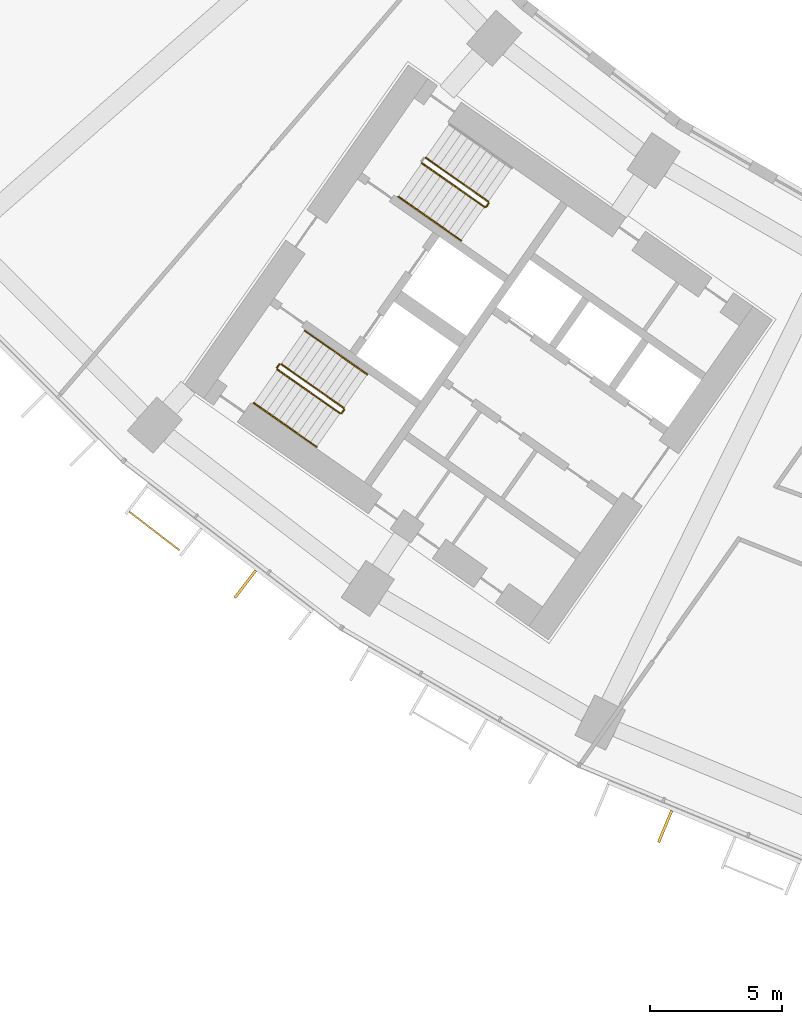
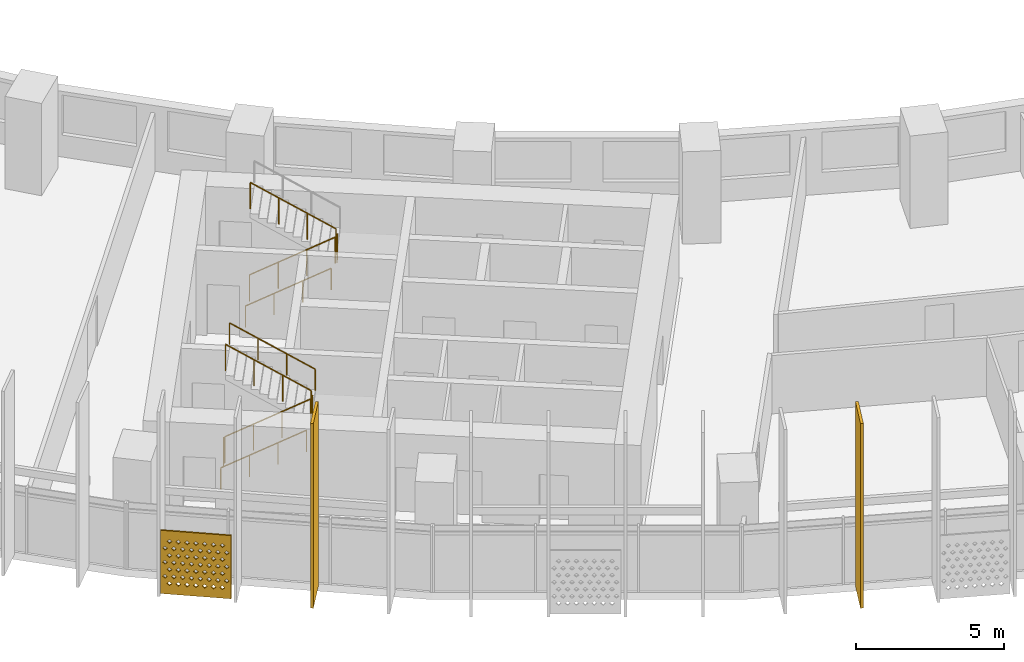
# One storey, part 25 of 31: 8 railings, 3 shading devices.
"""IFC4 building model written with IfcOpenShell, lengths in metres."""

from ifc_helpers import new_model, si_unit, direction, frame, origin, origin_2d, place, context, subcontext, project, spatial, polyline, rectangle, circle, outline, extrude, material, material_profile, profile_set, type_object, element, save


model = new_model("IFC4")

# Units and contexts
model_context = context("Model", 3, precision=1e-05, world=origin(), true_north=direction((0.0, 1.0)))
body_context = subcontext(model_context, "Body", "Model", "MODEL_VIEW")
ifc_project = project(units=[si_unit("LENGTHUNIT", "METRE"), si_unit("AREAUNIT", "SQUARE_METRE"), si_unit("VOLUMEUNIT", "CUBIC_METRE"), si_unit("PLANEANGLEUNIT", "RADIAN"), si_unit("MASSUNIT", "GRAM", prefix="KILO")], contexts=[model_context])

# Site, building, storey
site_placement = place(None, origin())
site = spatial("IfcSite", under=ifc_project, at=site_placement, CompositionType="ELEMENT")
building_placement = place(site_placement, origin())
building = spatial("IfcBuilding", under=site, at=building_placement, Name="Qamariyya Broadcast Tower", CompositionType="ELEMENT")
storey_placement = place(building_placement, frame((0.0, 0.0, 48.10009765625)))
storey = spatial("IfcBuildingStorey", under=building, at=storey_placement, Name="L08", CompositionType="ELEMENT", Elevation=48.10009765625)

# Shading device
ifc_material_1 = material(Name="Perforated glazed terracotta", Category="masonry")
ifc_material_profile_1 = material_profile(ifc_material_1, outline(polyline([(-1.199951171875, -1.300048828125), (1.199951171875, -1.300048828125), (1.199951171875, 1.300048828125), (-1.199951171875, 1.300048828125), (-1.199951171875, -1.300048828125)]), holes=[polyline([(-0.81494140625, -0.86669921875), (-0.89990234375, -0.78173828125), (-0.985107421875, -0.86669921875), (-0.89990234375, -0.95166015625), (-0.81494140625, -0.86669921875)]), polyline([(-0.514892578125, -0.86669921875), (-0.60009765625, -0.78173828125), (-0.68505859375, -0.86669921875), (-0.60009765625, -0.95166015625), (-0.514892578125, -0.86669921875)]), polyline([(-0.215087890625, -0.86669921875), (-0.300048828125, -0.78173828125), (-0.385009765625, -0.86669921875), (-0.300048828125, -0.95166015625), (-0.215087890625, -0.86669921875)]), polyline([(0.0849609375, -0.86669921875), (0.0, -0.78173828125), (-0.0849609375, -0.86669921875), (0.0, -0.95166015625), (0.0849609375, -0.86669921875)]), polyline([(0.385009765625, -0.86669921875), (0.300048828125, -0.78173828125), (0.215087890625, -0.86669921875), (0.300048828125, -0.95166015625), (0.385009765625, -0.86669921875)]), polyline([(0.68505859375, -0.86669921875), (0.60009765625, -0.78173828125), (0.514892578125, -0.86669921875), (0.60009765625, -0.95166015625), (0.68505859375, -0.86669921875)]), polyline([(0.985107421875, -0.86669921875), (0.89990234375, -0.78173828125), (0.81494140625, -0.86669921875), (0.89990234375, -0.95166015625), (0.985107421875, -0.86669921875)]), polyline([(-0.965087890625, -0.577880859375), (-1.050048828125, -0.49267578125), (-1.135009765625, -0.577880859375), (-1.050048828125, -0.662841796875), (-0.965087890625, -0.577880859375)]), polyline([(-0.6650390625, -0.577880859375), (-0.75, -0.49267578125), (-0.8349609375, -0.577880859375), (-0.75, -0.662841796875), (-0.6650390625, -0.577880859375)]), polyline([(-0.364990234375, -0.577880859375), (-0.449951171875, -0.49267578125), (-0.534912109375, -0.577880859375), (-0.449951171875, -0.662841796875), (-0.364990234375, -0.577880859375)]), polyline([(-0.06494140625, -0.577880859375), (-0.14990234375, -0.49267578125), (-0.235107421875, -0.577880859375), (-0.14990234375, -0.662841796875), (-0.06494140625, -0.577880859375)]), polyline([(0.235107421875, -0.577880859375), (0.14990234375, -0.49267578125), (0.06494140625, -0.577880859375), (0.14990234375, -0.662841796875), (0.235107421875, -0.577880859375)]), polyline([(0.534912109375, -0.577880859375), (0.449951171875, -0.49267578125), (0.364990234375, -0.577880859375), (0.449951171875, -0.662841796875), (0.534912109375, -0.577880859375)]), polyline([(0.8349609375, -0.577880859375), (0.75, -0.49267578125), (0.6650390625, -0.577880859375), (0.75, -0.662841796875), (0.8349609375, -0.577880859375)]), polyline([(1.135009765625, -0.577880859375), (1.050048828125, -0.49267578125), (0.965087890625, -0.577880859375), (1.050048828125, -0.662841796875), (1.135009765625, -0.577880859375)]), polyline([(-0.81494140625, -0.288818359375), (-0.89990234375, -0.203857421875), (-0.985107421875, -0.288818359375), (-0.89990234375, -0.373779296875), (-0.81494140625, -0.288818359375)]), polyline([(-0.514892578125, -0.288818359375), (-0.60009765625, -0.203857421875), (-0.68505859375, -0.288818359375), (-0.60009765625, -0.373779296875), (-0.514892578125, -0.288818359375)]), polyline([(-0.215087890625, -0.288818359375), (-0.300048828125, -0.203857421875), (-0.385009765625, -0.288818359375), (-0.300048828125, -0.373779296875), (-0.215087890625, -0.288818359375)]), polyline([(0.0849609375, -0.288818359375), (0.0, -0.203857421875), (-0.0849609375, -0.288818359375), (0.0, -0.373779296875), (0.0849609375, -0.288818359375)]), polyline([(0.385009765625, -0.288818359375), (0.300048828125, -0.203857421875), (0.215087890625, -0.288818359375), (0.300048828125, -0.373779296875), (0.385009765625, -0.288818359375)]), polyline([(0.68505859375, -0.288818359375), (0.60009765625, -0.203857421875), (0.514892578125, -0.288818359375), (0.60009765625, -0.373779296875), (0.68505859375, -0.288818359375)]), polyline([(0.985107421875, -0.288818359375), (0.89990234375, -0.203857421875), (0.81494140625, -0.288818359375), (0.89990234375, -0.373779296875), (0.985107421875, -0.288818359375)]), polyline([(-0.965087890625, 0.0), (-1.050048828125, 0.0849609375), (-1.135009765625, 0.0), (-1.050048828125, -0.0849609375), (-0.965087890625, 0.0)]), polyline([(-0.6650390625, 0.0), (-0.75, 0.0849609375), (-0.8349609375, 0.0), (-0.75, -0.0849609375), (-0.6650390625, 0.0)]), polyline([(-0.364990234375, 0.0), (-0.449951171875, 0.0849609375), (-0.534912109375, 0.0), (-0.449951171875, -0.0849609375), (-0.364990234375, 0.0)]), polyline([(-0.06494140625, 0.0), (-0.14990234375, 0.0849609375), (-0.235107421875, 0.0), (-0.14990234375, -0.0849609375), (-0.06494140625, 0.0)]), polyline([(0.235107421875, 0.0), (0.14990234375, 0.0849609375), (0.06494140625, 0.0), (0.14990234375, -0.0849609375), (0.235107421875, 0.0)]), polyline([(0.534912109375, 0.0), (0.449951171875, 0.0849609375), (0.364990234375, 0.0), (0.449951171875, -0.0849609375), (0.534912109375, 0.0)]), polyline([(0.8349609375, 0.0), (0.75, 0.0849609375), (0.6650390625, 0.0), (0.75, -0.0849609375), (0.8349609375, 0.0)]), polyline([(1.135009765625, 0.0), (1.050048828125, 0.0849609375), (0.965087890625, 0.0), (1.050048828125, -0.0849609375), (1.135009765625, 0.0)]), polyline([(-0.81494140625, 0.288818359375), (-0.89990234375, 0.373779296875), (-0.985107421875, 0.288818359375), (-0.89990234375, 0.203857421875), (-0.81494140625, 0.288818359375)]), polyline([(-0.514892578125, 0.288818359375), (-0.60009765625, 0.373779296875), (-0.68505859375, 0.288818359375), (-0.60009765625, 0.203857421875), (-0.514892578125, 0.288818359375)]), polyline([(-0.215087890625, 0.288818359375), (-0.300048828125, 0.373779296875), (-0.385009765625, 0.288818359375), (-0.300048828125, 0.203857421875), (-0.215087890625, 0.288818359375)]), polyline([(0.0849609375, 0.288818359375), (0.0, 0.373779296875), (-0.0849609375, 0.288818359375), (0.0, 0.203857421875), (0.0849609375, 0.288818359375)]), polyline([(0.385009765625, 0.288818359375), (0.300048828125, 0.373779296875), (0.215087890625, 0.288818359375), (0.300048828125, 0.203857421875), (0.385009765625, 0.288818359375)]), polyline([(0.68505859375, 0.288818359375), (0.60009765625, 0.373779296875), (0.514892578125, 0.288818359375), (0.60009765625, 0.203857421875), (0.68505859375, 0.288818359375)]), polyline([(0.985107421875, 0.288818359375), (0.89990234375, 0.373779296875), (0.81494140625, 0.288818359375), (0.89990234375, 0.203857421875), (0.985107421875, 0.288818359375)]), polyline([(-0.965087890625, 0.577880859375), (-1.050048828125, 0.662841796875), (-1.135009765625, 0.577880859375), (-1.050048828125, 0.49267578125), (-0.965087890625, 0.577880859375)]), polyline([(-0.6650390625, 0.577880859375), (-0.75, 0.662841796875), (-0.8349609375, 0.577880859375), (-0.75, 0.49267578125), (-0.6650390625, 0.577880859375)]), polyline([(-0.364990234375, 0.577880859375), (-0.449951171875, 0.662841796875), (-0.534912109375, 0.577880859375), (-0.449951171875, 0.49267578125), (-0.364990234375, 0.577880859375)]), polyline([(-0.06494140625, 0.577880859375), (-0.14990234375, 0.662841796875), (-0.235107421875, 0.577880859375), (-0.14990234375, 0.49267578125), (-0.06494140625, 0.577880859375)]), polyline([(0.235107421875, 0.577880859375), (0.14990234375, 0.662841796875), (0.06494140625, 0.577880859375), (0.14990234375, 0.49267578125), (0.235107421875, 0.577880859375)]), polyline([(0.534912109375, 0.577880859375), (0.449951171875, 0.662841796875), (0.364990234375, 0.577880859375), (0.449951171875, 0.49267578125), (0.534912109375, 0.577880859375)]), polyline([(0.8349609375, 0.577880859375), (0.75, 0.662841796875), (0.6650390625, 0.577880859375), (0.75, 0.49267578125), (0.8349609375, 0.577880859375)]), polyline([(1.135009765625, 0.577880859375), (1.050048828125, 0.662841796875), (0.965087890625, 0.577880859375), (1.050048828125, 0.49267578125), (1.135009765625, 0.577880859375)]), polyline([(-0.81494140625, 0.86669921875), (-0.89990234375, 0.95166015625), (-0.985107421875, 0.86669921875), (-0.89990234375, 0.78173828125), (-0.81494140625, 0.86669921875)]), polyline([(-0.514892578125, 0.86669921875), (-0.60009765625, 0.95166015625), (-0.68505859375, 0.86669921875), (-0.60009765625, 0.78173828125), (-0.514892578125, 0.86669921875)]), polyline([(-0.215087890625, 0.86669921875), (-0.300048828125, 0.95166015625), (-0.385009765625, 0.86669921875), (-0.300048828125, 0.78173828125), (-0.215087890625, 0.86669921875)]), polyline([(0.0849609375, 0.86669921875), (0.0, 0.95166015625), (-0.0849609375, 0.86669921875), (0.0, 0.78173828125), (0.0849609375, 0.86669921875)]), polyline([(0.385009765625, 0.86669921875), (0.300048828125, 0.95166015625), (0.215087890625, 0.86669921875), (0.300048828125, 0.78173828125), (0.385009765625, 0.86669921875)]), polyline([(0.68505859375, 0.86669921875), (0.60009765625, 0.95166015625), (0.514892578125, 0.86669921875), (0.60009765625, 0.78173828125), (0.68505859375, 0.86669921875)]), polyline([(0.985107421875, 0.86669921875), (0.89990234375, 0.95166015625), (0.81494140625, 0.86669921875), (0.89990234375, 0.78173828125), (0.985107421875, 0.86669921875)])]))
ifc_profile_set_1 = profile_set([ifc_material_profile_1], Name="Perforated glazed terracotta")
shading_device_type_1 = type_object("IfcShadingDeviceType", Name="Perforated terracotta screen 2400 x 2600", PredefinedType="USERDEFINED", material=ifc_profile_set_1)
shading_device_placement = place(storey_placement, frame((-51.26513671875, -62.4453125, 1.349853515625), z_axis=(-0.60971076085, -0.792623989105, 0.0), x_axis=(0.792623989105, -0.60971076085, 0.0)))
element("IfcShadingDevice", 1, at=shading_device_placement, inside=storey, type_object=shading_device_type_1, Name="e-scr-L08-03-0", ObjectType="SCREEN", PredefinedType="USERDEFINED", context=body_context, shape_type="SweptSolid", body=[
    extrude(outline(polyline([(-1.199951171875, -1.300048828125), (1.199951171875, -1.300048828125), (1.199951171875, 1.300048828125), (-1.199951171875, 1.300048828125), (-1.199951171875, -1.300048828125)]), holes=[polyline([(-0.81494140625, -0.86669921875), (-0.89990234375, -0.78173828125), (-0.985107421875, -0.86669921875), (-0.89990234375, -0.95166015625), (-0.81494140625, -0.86669921875)]), polyline([(-0.514892578125, -0.86669921875), (-0.60009765625, -0.78173828125), (-0.68505859375, -0.86669921875), (-0.60009765625, -0.95166015625), (-0.514892578125, -0.86669921875)]), polyline([(-0.215087890625, -0.86669921875), (-0.300048828125, -0.78173828125), (-0.385009765625, -0.86669921875), (-0.300048828125, -0.95166015625), (-0.215087890625, -0.86669921875)]), polyline([(0.0849609375, -0.86669921875), (0.0, -0.78173828125), (-0.0849609375, -0.86669921875), (0.0, -0.95166015625), (0.0849609375, -0.86669921875)]), polyline([(0.385009765625, -0.86669921875), (0.300048828125, -0.78173828125), (0.215087890625, -0.86669921875), (0.300048828125, -0.95166015625), (0.385009765625, -0.86669921875)]), polyline([(0.68505859375, -0.86669921875), (0.60009765625, -0.78173828125), (0.514892578125, -0.86669921875), (0.60009765625, -0.95166015625), (0.68505859375, -0.86669921875)]), polyline([(0.985107421875, -0.86669921875), (0.89990234375, -0.78173828125), (0.81494140625, -0.86669921875), (0.89990234375, -0.95166015625), (0.985107421875, -0.86669921875)]), polyline([(-0.965087890625, -0.577880859375), (-1.050048828125, -0.49267578125), (-1.135009765625, -0.577880859375), (-1.050048828125, -0.662841796875), (-0.965087890625, -0.577880859375)]), polyline([(-0.6650390625, -0.577880859375), (-0.75, -0.49267578125), (-0.8349609375, -0.577880859375), (-0.75, -0.662841796875), (-0.6650390625, -0.577880859375)]), polyline([(-0.364990234375, -0.577880859375), (-0.449951171875, -0.49267578125), (-0.534912109375, -0.577880859375), (-0.449951171875, -0.662841796875), (-0.364990234375, -0.577880859375)]), polyline([(-0.06494140625, -0.577880859375), (-0.14990234375, -0.49267578125), (-0.235107421875, -0.577880859375), (-0.14990234375, -0.662841796875), (-0.06494140625, -0.577880859375)]), polyline([(0.235107421875, -0.577880859375), (0.14990234375, -0.49267578125), (0.06494140625, -0.577880859375), (0.14990234375, -0.662841796875), (0.235107421875, -0.577880859375)]), polyline([(0.534912109375, -0.577880859375), (0.449951171875, -0.49267578125), (0.364990234375, -0.577880859375), (0.449951171875, -0.662841796875), (0.534912109375, -0.577880859375)]), polyline([(0.8349609375, -0.577880859375), (0.75, -0.49267578125), (0.6650390625, -0.577880859375), (0.75, -0.662841796875), (0.8349609375, -0.577880859375)]), polyline([(1.135009765625, -0.577880859375), (1.050048828125, -0.49267578125), (0.965087890625, -0.577880859375), (1.050048828125, -0.662841796875), (1.135009765625, -0.577880859375)]), polyline([(-0.81494140625, -0.288818359375), (-0.89990234375, -0.203857421875), (-0.985107421875, -0.288818359375), (-0.89990234375, -0.373779296875), (-0.81494140625, -0.288818359375)]), polyline([(-0.514892578125, -0.288818359375), (-0.60009765625, -0.203857421875), (-0.68505859375, -0.288818359375), (-0.60009765625, -0.373779296875), (-0.514892578125, -0.288818359375)]), polyline([(-0.215087890625, -0.288818359375), (-0.300048828125, -0.203857421875), (-0.385009765625, -0.288818359375), (-0.300048828125, -0.373779296875), (-0.215087890625, -0.288818359375)]), polyline([(0.0849609375, -0.288818359375), (0.0, -0.203857421875), (-0.0849609375, -0.288818359375), (0.0, -0.373779296875), (0.0849609375, -0.288818359375)]), polyline([(0.385009765625, -0.288818359375), (0.300048828125, -0.203857421875), (0.215087890625, -0.288818359375), (0.300048828125, -0.373779296875), (0.385009765625, -0.288818359375)]), polyline([(0.68505859375, -0.288818359375), (0.60009765625, -0.203857421875), (0.514892578125, -0.288818359375), (0.60009765625, -0.373779296875), (0.68505859375, -0.288818359375)]), polyline([(0.985107421875, -0.288818359375), (0.89990234375, -0.203857421875), (0.81494140625, -0.288818359375), (0.89990234375, -0.373779296875), (0.985107421875, -0.288818359375)]), polyline([(-0.965087890625, 0.0), (-1.050048828125, 0.0849609375), (-1.135009765625, 0.0), (-1.050048828125, -0.0849609375), (-0.965087890625, 0.0)]), polyline([(-0.6650390625, 0.0), (-0.75, 0.0849609375), (-0.8349609375, 0.0), (-0.75, -0.0849609375), (-0.6650390625, 0.0)]), polyline([(-0.364990234375, 0.0), (-0.449951171875, 0.0849609375), (-0.534912109375, 0.0), (-0.449951171875, -0.0849609375), (-0.364990234375, 0.0)]), polyline([(-0.06494140625, 0.0), (-0.14990234375, 0.0849609375), (-0.235107421875, 0.0), (-0.14990234375, -0.0849609375), (-0.06494140625, 0.0)]), polyline([(0.235107421875, 0.0), (0.14990234375, 0.0849609375), (0.06494140625, 0.0), (0.14990234375, -0.0849609375), (0.235107421875, 0.0)]), polyline([(0.534912109375, 0.0), (0.449951171875, 0.0849609375), (0.364990234375, 0.0), (0.449951171875, -0.0849609375), (0.534912109375, 0.0)]), polyline([(0.8349609375, 0.0), (0.75, 0.0849609375), (0.6650390625, 0.0), (0.75, -0.0849609375), (0.8349609375, 0.0)]), polyline([(1.135009765625, 0.0), (1.050048828125, 0.0849609375), (0.965087890625, 0.0), (1.050048828125, -0.0849609375), (1.135009765625, 0.0)]), polyline([(-0.81494140625, 0.288818359375), (-0.89990234375, 0.373779296875), (-0.985107421875, 0.288818359375), (-0.89990234375, 0.203857421875), (-0.81494140625, 0.288818359375)]), polyline([(-0.514892578125, 0.288818359375), (-0.60009765625, 0.373779296875), (-0.68505859375, 0.288818359375), (-0.60009765625, 0.203857421875), (-0.514892578125, 0.288818359375)]), polyline([(-0.215087890625, 0.288818359375), (-0.300048828125, 0.373779296875), (-0.385009765625, 0.288818359375), (-0.300048828125, 0.203857421875), (-0.215087890625, 0.288818359375)]), polyline([(0.0849609375, 0.288818359375), (0.0, 0.373779296875), (-0.0849609375, 0.288818359375), (0.0, 0.203857421875), (0.0849609375, 0.288818359375)]), polyline([(0.385009765625, 0.288818359375), (0.300048828125, 0.373779296875), (0.215087890625, 0.288818359375), (0.300048828125, 0.203857421875), (0.385009765625, 0.288818359375)]), polyline([(0.68505859375, 0.288818359375), (0.60009765625, 0.373779296875), (0.514892578125, 0.288818359375), (0.60009765625, 0.203857421875), (0.68505859375, 0.288818359375)]), polyline([(0.985107421875, 0.288818359375), (0.89990234375, 0.373779296875), (0.81494140625, 0.288818359375), (0.89990234375, 0.203857421875), (0.985107421875, 0.288818359375)]), polyline([(-0.965087890625, 0.577880859375), (-1.050048828125, 0.662841796875), (-1.135009765625, 0.577880859375), (-1.050048828125, 0.49267578125), (-0.965087890625, 0.577880859375)]), polyline([(-0.6650390625, 0.577880859375), (-0.75, 0.662841796875), (-0.8349609375, 0.577880859375), (-0.75, 0.49267578125), (-0.6650390625, 0.577880859375)]), polyline([(-0.364990234375, 0.577880859375), (-0.449951171875, 0.662841796875), (-0.534912109375, 0.577880859375), (-0.449951171875, 0.49267578125), (-0.364990234375, 0.577880859375)]), polyline([(-0.06494140625, 0.577880859375), (-0.14990234375, 0.662841796875), (-0.235107421875, 0.577880859375), (-0.14990234375, 0.49267578125), (-0.06494140625, 0.577880859375)]), polyline([(0.235107421875, 0.577880859375), (0.14990234375, 0.662841796875), (0.06494140625, 0.577880859375), (0.14990234375, 0.49267578125), (0.235107421875, 0.577880859375)]), polyline([(0.534912109375, 0.577880859375), (0.449951171875, 0.662841796875), (0.364990234375, 0.577880859375), (0.449951171875, 0.49267578125), (0.534912109375, 0.577880859375)]), polyline([(0.8349609375, 0.577880859375), (0.75, 0.662841796875), (0.6650390625, 0.577880859375), (0.75, 0.49267578125), (0.8349609375, 0.577880859375)]), polyline([(1.135009765625, 0.577880859375), (1.050048828125, 0.662841796875), (0.965087890625, 0.577880859375), (1.050048828125, 0.49267578125), (1.135009765625, 0.577880859375)]), polyline([(-0.81494140625, 0.86669921875), (-0.89990234375, 0.95166015625), (-0.985107421875, 0.86669921875), (-0.89990234375, 0.78173828125), (-0.81494140625, 0.86669921875)]), polyline([(-0.514892578125, 0.86669921875), (-0.60009765625, 0.95166015625), (-0.68505859375, 0.86669921875), (-0.60009765625, 0.78173828125), (-0.514892578125, 0.86669921875)]), polyline([(-0.215087890625, 0.86669921875), (-0.300048828125, 0.95166015625), (-0.385009765625, 0.86669921875), (-0.300048828125, 0.78173828125), (-0.215087890625, 0.86669921875)]), polyline([(0.0849609375, 0.86669921875), (0.0, 0.95166015625), (-0.0849609375, 0.86669921875), (0.0, 0.78173828125), (0.0849609375, 0.86669921875)]), polyline([(0.385009765625, 0.86669921875), (0.300048828125, 0.95166015625), (0.215087890625, 0.86669921875), (0.300048828125, 0.78173828125), (0.385009765625, 0.86669921875)]), polyline([(0.68505859375, 0.86669921875), (0.60009765625, 0.95166015625), (0.514892578125, 0.86669921875), (0.60009765625, 0.78173828125), (0.68505859375, 0.86669921875)]), polyline([(0.985107421875, 0.86669921875), (0.89990234375, 0.95166015625), (0.81494140625, 0.86669921875), (0.89990234375, 0.78173828125), (0.985107421875, 0.86669921875)])]), origin(), (0.0, 0.0, 1.0), 0.06005859375),
])

# Railings
ifc_material_2 = material(Name="Painted steel", Category="steel")
railing_type_1 = type_object("IfcRailingType", Name="Stair guard", PredefinedType="GUARDRAIL", material=ifc_material_2)
railing_1_placement = place(storey_placement, frame((-41.146728515625, -48.52490234375, 0.172607421875)))
element("IfcRailing", 2, at=railing_1_placement, inside=storey, type_object=railing_type_1, Name="L08 ST-W2 stair guard 1", PredefinedType="GUARDRAIL", context=body_context, shape_type="SweptSolid", body=[
    extrude(circle(Radius=0.02392578125, at=origin_2d()), frame((0.0, 0.0, 1.076171875), z_axis=(0.703770094002, -0.492783725636, 0.511734163933), x_axis=(0.573575343427, 0.819152809562, 0.0)), (0.0, 0.0, 1.0), 3.37548828125),
    extrude(circle(Radius=0.02392578125, at=origin_2d()), frame((2.37548828125, -1.663330078125, 2.80322265625), z_axis=(0.985059694769, 0.172213233351, 0.0), x_axis=(-0.172213233351, 0.985059694769, 0.0)), (0.0, 0.0, 1.0), 0.07080078125),
    extrude(circle(Radius=0.02392578125, at=origin_2d()), frame((2.4453125, -1.651123046875, 2.80322265625), z_axis=(0.572588637393, 0.819842821722, 0.0), x_axis=(-0.819842821722, 0.572588637393, 0.0)), (0.0, 0.0, 1.0), 0.150146484375),
    extrude(circle(Radius=0.02099609375, at=origin_2d()), origin(), (0.0, 0.0, 1.0), 1.052001953125),
    extrude(circle(Radius=0.02099609375, at=origin_2d()), frame((0.791748046875, -0.554443359375, 0.57568359375)), (0.0, 0.0, 1.0), 1.052001953125),
    extrude(circle(Radius=0.02099609375, at=origin_2d()), frame((1.583740234375, -1.10888671875, 1.151611328125)), (0.0, 0.0, 1.0), 1.052001953125),
    extrude(circle(Radius=0.02099609375, at=origin_2d()), frame((2.37548828125, -1.663330078125, 1.727294921875)), (0.0, 0.0, 1.0), 1.052001953125),
    extrude(circle(Radius=0.02099609375, at=origin_2d()), frame((2.4453125, -1.651123046875, 1.727294921875)), (0.0, 0.0, 1.0), 1.052001953125),
    extrude(circle(Radius=0.02099609375, at=origin_2d()), frame((2.53125, -1.528076171875, 1.727294921875)), (0.0, 0.0, 1.0), 1.052001953125),
])
railing_2_placement = place(storey_placement, frame((-38.627685546875, -49.9833984375, 2.072509765625)))
element("IfcRailing", 3, at=railing_2_placement, inside=storey, type_object=railing_type_1, Name="L08 ST-W2 stair guard 2", PredefinedType="GUARDRAIL", context=body_context, shape_type="SweptSolid", body=[
    extrude(circle(Radius=0.02392578125, at=origin_2d()), frame((0.0, 0.0, 1.076171875), z_axis=(-0.703770094002, 0.492783725636, 0.511734163933), x_axis=(-0.573575343427, -0.819152809562, 0.0)), (0.0, 0.0, 1.0), 3.37548828125),
    extrude(circle(Radius=0.02099609375, at=origin_2d()), origin(), (0.0, 0.0, 1.0), 1.052001953125),
    extrude(circle(Radius=0.02099609375, at=origin_2d()), frame((-0.791748046875, 0.554443359375, 0.57568359375)), (0.0, 0.0, 1.0), 1.052001953125),
    extrude(circle(Radius=0.02099609375, at=origin_2d()), frame((-1.583740234375, 1.10888671875, 1.151611328125)), (0.0, 0.0, 1.0), 1.052001953125),
    extrude(circle(Radius=0.02099609375, at=origin_2d()), frame((-2.37548828125, 1.663330078125, 1.727294921875)), (0.0, 0.0, 1.0), 1.052001953125),
])
railing_3_placement = place(storey_placement, frame((-46.624267578125, -56.34765625, 0.172607421875)))
element("IfcRailing", 4, at=railing_3_placement, inside=storey, type_object=railing_type_1, Name="L08 ST-W1 stair guard 1", PredefinedType="GUARDRAIL", context=body_context, shape_type="SweptSolid", body=[
    extrude(circle(Radius=0.02392578125, at=origin_2d()), frame((0.0, 0.0, 1.076171875), z_axis=(0.703745009021, -0.492838488332, 0.511715923826), x_axis=(0.573631830683, 0.819113253969, 0.0)), (0.0, 0.0, 1.0), 3.37548828125),
    extrude(circle(Radius=0.02392578125, at=origin_2d()), frame((2.37548828125, -1.66357421875, 2.80322265625), z_axis=(0.984363469884, 0.176149252506, 0.0), x_axis=(-0.176149252506, 0.984363469884, 0.0)), (0.0, 0.0, 1.0), 0.07080078125),
    extrude(circle(Radius=0.02392578125, at=origin_2d()), frame((2.445068359375, -1.651123046875, 2.80322265625), z_axis=(0.574444878118, 0.818543268254, 0.0), x_axis=(-0.818543268254, 0.574444878118, 0.0)), (0.0, 0.0, 1.0), 0.150146484375),
    extrude(circle(Radius=0.02099609375, at=origin_2d()), origin(), (0.0, 0.0, 1.0), 1.052001953125),
    extrude(circle(Radius=0.02099609375, at=origin_2d()), frame((0.791748046875, -0.554443359375, 0.57568359375)), (0.0, 0.0, 1.0), 1.052001953125),
    extrude(circle(Radius=0.02099609375, at=origin_2d()), frame((1.583740234375, -1.109130859375, 1.151611328125)), (0.0, 0.0, 1.0), 1.052001953125),
    extrude(circle(Radius=0.02099609375, at=origin_2d()), frame((2.37548828125, -1.66357421875, 1.727294921875)), (0.0, 0.0, 1.0), 1.052001953125),
    extrude(circle(Radius=0.02099609375, at=origin_2d()), frame((2.445068359375, -1.651123046875, 1.727294921875)), (0.0, 0.0, 1.0), 1.052001953125),
    extrude(circle(Radius=0.02099609375, at=origin_2d()), frame((2.53125, -1.5283203125, 1.727294921875)), (0.0, 0.0, 1.0), 1.052001953125),
])
railing_4_placement = place(storey_placement, frame((-44.10546875, -57.806396484375, 2.072509765625)))
element("IfcRailing", 5, at=railing_4_placement, inside=storey, type_object=railing_type_1, Name="L08 ST-W1 stair guard 2", PredefinedType="GUARDRAIL", context=body_context, shape_type="SweptSolid", body=[
    extrude(circle(Radius=0.02392578125, at=origin_2d()), frame((0.0, 0.0, 1.076171875), z_axis=(-0.703770094002, 0.492783725636, 0.511734163933), x_axis=(-0.573575343427, -0.819152809562, 0.0)), (0.0, 0.0, 1.0), 3.37548828125),
    extrude(circle(Radius=0.02099609375, at=origin_2d()), origin(), (0.0, 0.0, 1.0), 1.052001953125),
    extrude(circle(Radius=0.02099609375, at=origin_2d()), frame((-0.791748046875, 0.554443359375, 0.57568359375)), (0.0, 0.0, 1.0), 1.052001953125),
    extrude(circle(Radius=0.02099609375, at=origin_2d()), frame((-1.583740234375, 1.10888671875, 1.151611328125)), (0.0, 0.0, 1.0), 1.052001953125),
    extrude(circle(Radius=0.02099609375, at=origin_2d()), frame((-2.37548828125, 1.663330078125, 1.727294921875)), (0.0, 0.0, 1.0), 1.052001953125),
])
railing_5_placement = place(storey_placement, frame((-46.63671875, -56.278076171875, 0.0)))
element("IfcRailing", 6, at=railing_5_placement, inside=storey, type_object=railing_type_1, Name="L08 ST-W1 stair guard 3", PredefinedType="GUARDRAIL", context=body_context, shape_type="SweptSolid", body=[
    extrude(circle(Radius=0.02392578125, at=origin_2d()), frame((0.0, 0.0, 1.076171875), z_axis=(0.574444878118, 0.818543268254, 0.0), x_axis=(-0.818543268254, 0.574444878118, 0.0)), (0.0, 0.0, 1.0), 0.150146484375),
    extrude(circle(Radius=0.02099609375, at=origin_2d()), origin(), (0.0, 0.0, 1.0), 1.052001953125),
    extrude(circle(Radius=0.02099609375, at=origin_2d()), frame((0.086181640625, 0.122802734375, 0.0)), (0.0, 0.0, 1.0), 1.052001953125),
])
ifc_material_3 = material(Name="Stainless steel", Category="steel")
railing_type_2 = type_object("IfcRailingType", Name="Stair handrail", PredefinedType="HANDRAIL", material=ifc_material_3)
railing_6_placement = place(storey_placement, frame((-42.03564453125, -49.79443359375, 0.172607421875)))
element("IfcRailing", 7, at=railing_6_placement, inside=storey, type_object=railing_type_2, Name="L08 ST-W2 stair handrail 1", PredefinedType="HANDRAIL", context=body_context, shape_type="SweptSolid", body=[
    extrude(circle(Radius=0.02392578125, at=origin_2d()), frame((0.0, 0.0, 0.8759765625), z_axis=(0.703745009021, -0.492838488332, 0.511715923826), x_axis=(0.573631830683, 0.819113253969, 0.0)), (0.0, 0.0, 1.0), 3.37548828125),
    extrude(circle(Radius=0.02099609375, at=origin_2d()), origin(), (0.0, 0.0, 1.0), 0.851806640625),
    extrude(circle(Radius=0.02099609375, at=origin_2d()), frame((0.791748046875, -0.554443359375, 0.57568359375)), (0.0, 0.0, 1.0), 0.851806640625),
    extrude(circle(Radius=0.02099609375, at=origin_2d()), frame((1.583740234375, -1.109130859375, 1.151611328125)), (0.0, 0.0, 1.0), 0.851806640625),
    extrude(circle(Radius=0.02099609375, at=origin_2d()), frame((2.37548828125, -1.66357421875, 1.727294921875)), (0.0, 0.0, 1.0), 0.851806640625),
])
railing_7_placement = place(storey_placement, frame((-47.513427734375, -57.617431640625, 0.172607421875)))
element("IfcRailing", 8, at=railing_7_placement, inside=storey, type_object=railing_type_2, Name="L08 ST-W1 stair handrail 1", PredefinedType="HANDRAIL", context=body_context, shape_type="SweptSolid", body=[
    extrude(circle(Radius=0.02392578125, at=origin_2d()), frame((0.0, 0.0, 0.8759765625), z_axis=(0.703770094002, -0.492783725636, 0.511734163933), x_axis=(0.573575343427, 0.819152809562, 0.0)), (0.0, 0.0, 1.0), 3.37548828125),
    extrude(circle(Radius=0.02099609375, at=origin_2d()), origin(), (0.0, 0.0, 1.0), 0.851806640625),
    extrude(circle(Radius=0.02099609375, at=origin_2d()), frame((0.791748046875, -0.554443359375, 0.57568359375)), (0.0, 0.0, 1.0), 0.851806640625),
    extrude(circle(Radius=0.02099609375, at=origin_2d()), frame((1.583740234375, -1.10888671875, 1.151611328125)), (0.0, 0.0, 1.0), 0.851806640625),
    extrude(circle(Radius=0.02099609375, at=origin_2d()), frame((2.37548828125, -1.663330078125, 1.727294921875)), (0.0, 0.0, 1.0), 0.851806640625),
])
railing_8_placement = place(storey_placement, frame((-43.21630859375, -56.53662109375, 2.072509765625)))
element("IfcRailing", 9, at=railing_8_placement, inside=storey, type_object=railing_type_2, Name="L08 ST-W1 stair handrail 2", PredefinedType="HANDRAIL", context=body_context, shape_type="SweptSolid", body=[
    extrude(circle(Radius=0.02392578125, at=origin_2d()), frame((0.0, 0.0, 0.8759765625), z_axis=(-0.703770094002, 0.492783725636, 0.511734163933), x_axis=(-0.573575343427, -0.819152809562, 0.0)), (0.0, 0.0, 1.0), 3.37548828125),
    extrude(circle(Radius=0.02099609375, at=origin_2d()), origin(), (0.0, 0.0, 1.0), 0.851806640625),
    extrude(circle(Radius=0.02099609375, at=origin_2d()), frame((-0.791748046875, 0.554443359375, 0.57568359375)), (0.0, 0.0, 1.0), 0.851806640625),
    extrude(circle(Radius=0.02099609375, at=origin_2d()), frame((-1.583740234375, 1.10888671875, 1.151611328125)), (0.0, 0.0, 1.0), 0.851806640625),
    extrude(circle(Radius=0.02099609375, at=origin_2d()), frame((-2.37548828125, 1.663330078125, 1.727294921875)), (0.0, 0.0, 1.0), 0.851806640625),
])

# Shading devices
ifc_material_4 = material(Name="Glazed terracotta", Category="masonry")
ifc_material_profile_2 = material_profile(ifc_material_4, rectangle(XDim=1.300048828125, YDim=0.10009765625, at=origin_2d()))
ifc_profile_set_2 = profile_set([ifc_material_profile_2], Name="Glazed terracotta")
shading_device_type_2 = type_object("IfcShadingDeviceType", Name="Terracotta fin 100 x 1300", PredefinedType="USERDEFINED", material=ifc_profile_set_2)
for number, where, z_axis, x_axis, name in (
    (10, (-47.837890625, -64.48291015625, 0.0), (0.0, 0.0, 1.0), (-0.608761429009, -0.793353340291, 0.0), "e-fin-L08-03-2"),
    (11, (-31.9248046875, -73.670166015625, 0.0), (0.0, 0.0, 1.0), (-0.382683432365, -0.923879532511, 0.0), "e-fin-L08-05-1"),
):
    element("IfcShadingDevice", number, at=place(storey_placement, frame(where, z_axis=z_axis, x_axis=x_axis)), inside=storey, type_object=shading_device_type_2, Name=name, ObjectType="FIN", PredefinedType="USERDEFINED", context=body_context, shape_type="SweptSolid", body=[
        extrude(rectangle(XDim=1.300048828125, YDim=0.10009765625, at=origin_2d()), origin(), (0.0, 0.0, 1.0), 7.599853515625),
    ])

save(model, "model.ifc")
